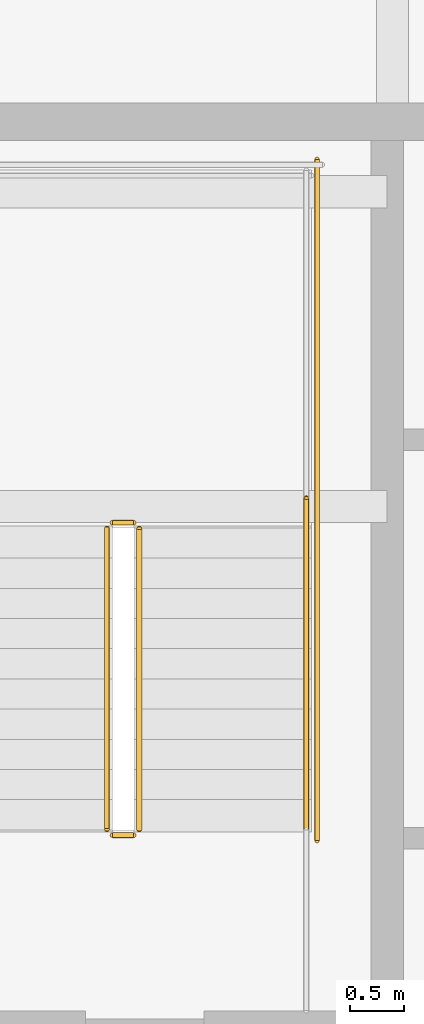
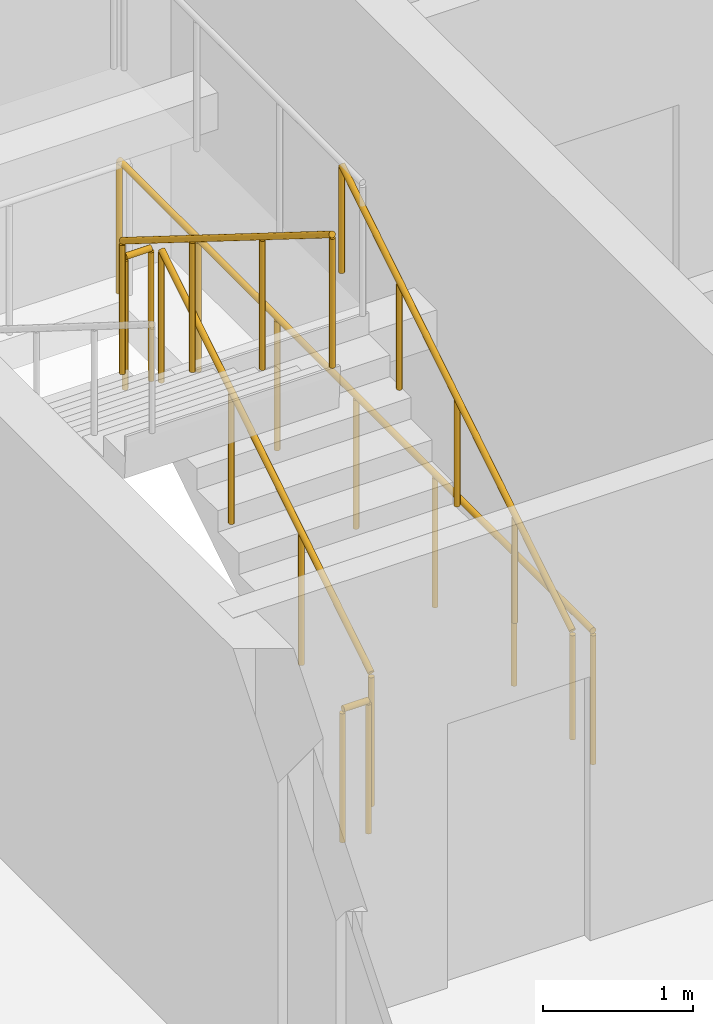
# One storey, part 33 of 36: 6 railings.
"""IFC4 building model written with IfcOpenShell, lengths in metres."""

from ifc_helpers import new_model, si_unit, direction, frame, origin, origin_2d, place, context, subcontext, project, spatial, circle, extrude, material, type_object, element, save


model = new_model("IFC4")

# Units and contexts
model_context = context("Model", 3, precision=1e-05, world=origin(), true_north=direction((0.0, 1.0)))
body_context = subcontext(model_context, "Body", "Model", "MODEL_VIEW")
ifc_project = project(units=[si_unit("LENGTHUNIT", "METRE"), si_unit("AREAUNIT", "SQUARE_METRE"), si_unit("VOLUMEUNIT", "CUBIC_METRE"), si_unit("PLANEANGLEUNIT", "RADIAN"), si_unit("MASSUNIT", "GRAM", prefix="KILO")], contexts=[model_context])

# Site, building, storey
site_placement = place(None, origin())
site = spatial("IfcSite", under=ifc_project, at=site_placement, CompositionType="ELEMENT")
building_placement = place(site_placement, origin())
building = spatial("IfcBuilding", under=site, at=building_placement, Name="Serunith Strait Residences", CompositionType="ELEMENT")
storey_placement = place(building_placement, frame((0.0, 0.0, 256.64990234375)))
storey = spatial("IfcBuildingStorey", under=building, at=storey_placement, Name="L64", CompositionType="ELEMENT", Elevation=256.64990234375)

# Railings
ifc_material = material(Name="Brushed stainless steel 316L", Category="steel")
railing_type_1 = type_object("IfcRailingType", Name="RLG-STAIR-GUARD", PredefinedType="BALUSTRADE", material=ifc_material)
railing_1_placement = place(storey_placement, frame((25.550048828125, 27.030029296875, 0.175048828125)))
element("IfcRailing", 1, at=railing_1_placement, inside=storey, type_object=railing_type_1, Name="L64 ST-1 stair guard 1", PredefinedType="BALUSTRADE", context=body_context, shape_type="SweptSolid", body=[
    extrude(circle(Radius=0.02392578125, at=origin_2d()), frame((0.0, 0.001708984375, 1.0771484375), z_axis=(0.0, 0.848002457836, 0.529992293815), x_axis=(-1.0, 0.0, 0.0)), (0.0, 0.0, 1.0), 3.2978515625),
    extrude(circle(Radius=0.02099609375, at=origin_2d()), origin(), (0.0, 0.0, 1.0), 1.050048828125),
    extrude(circle(Radius=0.02099609375, at=origin_2d()), frame((0.0, 0.933349609375, 0.583251953125)), (0.0, 0.0, 1.0), 1.050048828125),
    extrude(circle(Radius=0.02099609375, at=origin_2d()), frame((0.0, 1.86669921875, 1.166748046875)), (0.0, 0.0, 1.0), 1.050048828125),
    extrude(circle(Radius=0.02099609375, at=origin_2d()), frame((0.0, 2.800048828125, 1.75)), (0.0, 0.0, 1.0), 1.050048828125),
])
railing_2_placement = place(storey_placement, frame((25.5, 29.8798828125, 1.925048828125)))
element("IfcRailing", 2, at=railing_2_placement, inside=storey, type_object=railing_type_1, Name="L64 ST-1 stair guard 2", PredefinedType="BALUSTRADE", context=body_context, shape_type="SweptSolid", body=[
    extrude(circle(Radius=0.02392578125, at=origin_2d()), frame((-0.001953125, 0.0, 1.076171875), z_axis=(-1.0, 0.0, 0.0), x_axis=(0.0, -1.0, 0.0)), (0.0, 0.0, 1.0), 0.196044921875),
    extrude(circle(Radius=0.02099609375, at=origin_2d()), origin(), (0.0, 0.0, 1.0), 1.050048828125),
    extrude(circle(Radius=0.02099609375, at=origin_2d()), frame((-0.199951171875, 0.0, 0.0)), (0.0, 0.0, 1.0), 1.050048828125),
])
railing_3_placement = place(storey_placement, frame((25.25, 29.830078125, 2.10009765625)))
element("IfcRailing", 3, at=railing_3_placement, inside=storey, type_object=railing_type_1, Name="L64 ST-1 stair guard 6", PredefinedType="BALUSTRADE", context=body_context, shape_type="SweptSolid", body=[
    extrude(circle(Radius=0.02392578125, at=origin_2d()), frame((0.0, -0.001708984375, 1.0771484375), z_axis=(0.0, -0.848002457836, 0.529992293815), x_axis=(1.0, 0.0, 0.0)), (0.0, 0.0, 1.0), 3.2978515625),
    extrude(circle(Radius=0.02099609375, at=origin_2d()), origin(), (0.0, 0.0, 1.0), 1.050048828125),
    extrude(circle(Radius=0.02099609375, at=origin_2d()), frame((0.0, -0.933349609375, 0.583251953125)), (0.0, 0.0, 1.0), 1.050048828125),
    extrude(circle(Radius=0.02099609375, at=origin_2d()), frame((0.0, -1.86669921875, 1.166748046875)), (0.0, 0.0, 1.0), 1.050048828125),
    extrude(circle(Radius=0.02099609375, at=origin_2d()), frame((0.0, -2.800048828125, 1.75)), (0.0, 0.0, 1.0), 1.050048828125),
])
railing_4_placement = place(storey_placement, frame((25.5, 26.97998046875, 0.0)))
element("IfcRailing", 4, at=railing_4_placement, inside=storey, type_object=railing_type_1, Name="L64 ST-1 stair guard 7", PredefinedType="BALUSTRADE", context=body_context, shape_type="SweptSolid", body=[
    extrude(circle(Radius=0.02392578125, at=origin_2d()), frame((-0.001953125, 0.0, 1.076171875), z_axis=(-1.0, 0.0, 0.0), x_axis=(0.0, -1.0, 0.0)), (0.0, 0.0, 1.0), 0.196044921875),
    extrude(circle(Radius=0.02099609375, at=origin_2d()), origin(), (0.0, 0.0, 1.0), 1.050048828125),
    extrude(circle(Radius=0.02099609375, at=origin_2d()), frame((-0.199951171875, 0.0, 0.0)), (0.0, 0.0, 1.0), 1.050048828125),
])
railing_5_placement = place(storey_placement, frame((27.199951171875, 26.929931640625, 0.0)))
element("IfcRailing", 5, at=railing_5_placement, inside=storey, type_object=railing_type_1, Name="L64 ST-1 stair guard 10", PredefinedType="BALUSTRADE", context=body_context, shape_type="SweptSolid", body=[
    extrude(circle(Radius=0.02392578125, at=origin_2d()), frame((0.0, 0.001953125, 1.076171875), z_axis=(0.0, 1.0, 0.0), x_axis=(-1.0, 0.0, 0.0)), (0.0, 0.0, 1.0), 6.316162109375),
    extrude(circle(Radius=0.02099609375, at=origin_2d()), origin(), (0.0, 0.0, 1.0), 1.050048828125),
    extrude(circle(Radius=0.02099609375, at=origin_2d()), frame((0.0, 1.05322265625, 0.0)), (0.0, 0.0, 1.0), 1.050048828125),
    extrude(circle(Radius=0.02099609375, at=origin_2d()), frame((0.0, 2.106689453125, 0.0)), (0.0, 0.0, 1.0), 1.050048828125),
    extrude(circle(Radius=0.02099609375, at=origin_2d()), frame((0.0, 3.16015625, 0.0)), (0.0, 0.0, 1.0), 1.050048828125),
    extrude(circle(Radius=0.02099609375, at=origin_2d()), frame((0.0, 4.21337890625, 0.0)), (0.0, 0.0, 1.0), 1.050048828125),
    extrude(circle(Radius=0.02099609375, at=origin_2d()), frame((0.0, 5.2666015625, 0.0)), (0.0, 0.0, 1.0), 1.050048828125),
    extrude(circle(Radius=0.02099609375, at=origin_2d()), frame((0.0, 6.320068359375, 0.0)), (0.0, 0.0, 1.0), 1.050048828125),
])
railing_type_2 = type_object("IfcRailingType", Name="RLG-STAIR-HR", PredefinedType="HANDRAIL", material=ifc_material)
railing_6_placement = place(storey_placement, frame((27.10009765625, 27.030029296875, 0.175048828125)))
element("IfcRailing", 6, at=railing_6_placement, inside=storey, type_object=railing_type_2, Name="L64 ST-1 stair handrail 1", PredefinedType="HANDRAIL", context=body_context, shape_type="SweptSolid", body=[
    extrude(circle(Radius=0.02392578125, at=origin_2d()), frame((0.0, 0.001708984375, 0.876953125), z_axis=(0.0, 0.847393994688, 0.530964610654), x_axis=(-1.0, 0.0, 0.0)), (0.0, 0.0, 1.0), 3.630859375),
    extrude(circle(Radius=0.02099609375, at=origin_2d()), origin(), (0.0, 0.0, 1.0), 0.849853515625),
    extrude(circle(Radius=0.02099609375, at=origin_2d()), frame((0.0, 0.77001953125, 0.482421875)), (0.0, 0.0, 1.0), 0.849853515625),
    extrude(circle(Radius=0.02099609375, at=origin_2d()), frame((0.0, 1.5400390625, 0.96484375)), (0.0, 0.0, 1.0), 0.849853515625),
    extrude(circle(Radius=0.02099609375, at=origin_2d()), frame((0.0, 2.31005859375, 1.447509765625)), (0.0, 0.0, 1.0), 0.849853515625),
    extrude(circle(Radius=0.02099609375, at=origin_2d()), frame((0.0, 3.080078125, 1.929931640625)), (0.0, 0.0, 1.0), 0.849853515625),
])

save(model, "model.ifc")
